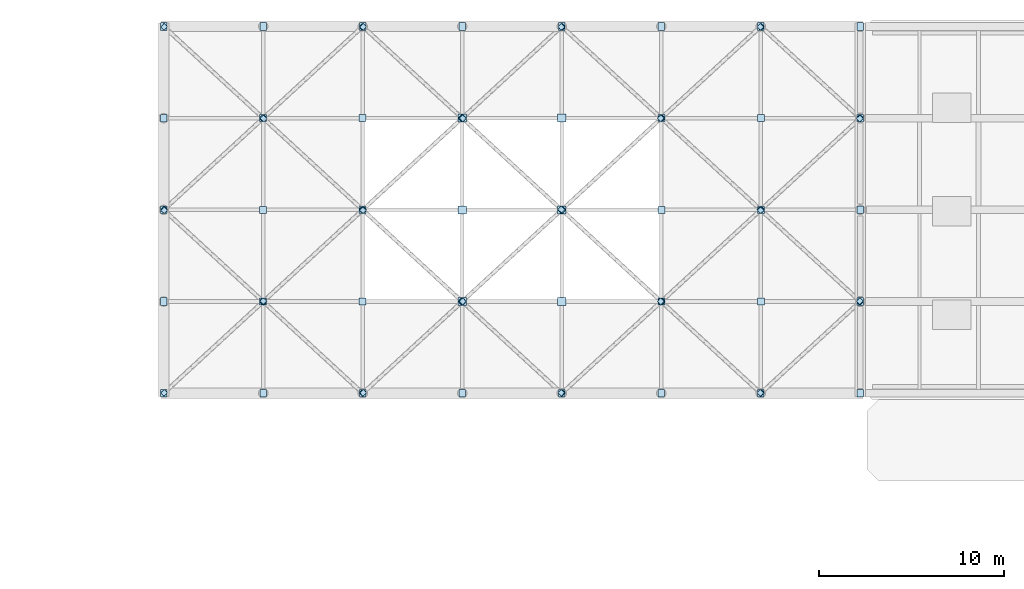
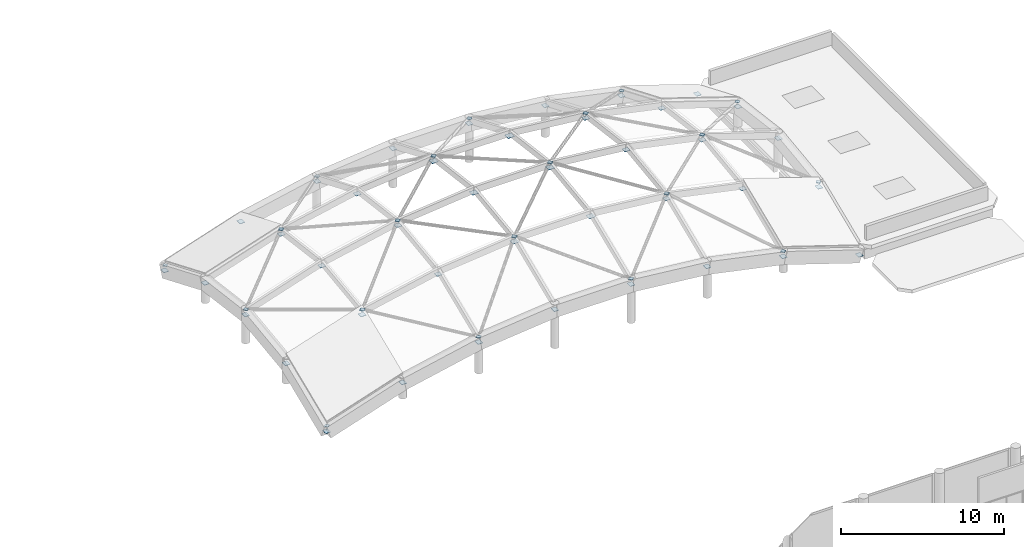
# One storey, part 38 of 66: 96 plates.
"""IFC4 building model written with IfcOpenShell, lengths in metres."""

from ifc_helpers import new_model, si_unit, direction, frame, origin, origin_2d, place, context, subcontext, project, spatial, rectangle, extrude, material, layer, layer_set, type_object, element, save


model = new_model("IFC4")

# Units and contexts
model_context = context("Model", 3, precision=1e-05, world=origin(), true_north=direction((0.0, 1.0)))
body_context = subcontext(model_context, "Body", "Model", "MODEL_VIEW")
ifc_project = project(units=[si_unit("LENGTHUNIT", "METRE"), si_unit("AREAUNIT", "SQUARE_METRE"), si_unit("VOLUMEUNIT", "CUBIC_METRE"), si_unit("PLANEANGLEUNIT", "RADIAN"), si_unit("MASSUNIT", "GRAM", prefix="KILO")], contexts=[model_context])

# Site, building, storey
site_placement = place(None, origin())
site = spatial("IfcSite", under=ifc_project, at=site_placement, CompositionType="ELEMENT")
building_placement = place(site_placement, origin())
building = spatial("IfcBuilding", under=site, at=building_placement, Name="Birchvale Park Specialist Clinic", CompositionType="ELEMENT")
storey_placement = place(building_placement, frame((0.0, 0.0, 5.39990234375)))
storey = spatial("IfcBuildingStorey", under=building, at=storey_placement, Name="L01", CompositionType="ELEMENT", Elevation=5.39990234375)

# Plates
ifc_material = material(Name="Steel ASTM A572 Grade 50", Category="steel")
ifc_layer_1 = layer(ifc_material, 0.02197265625)
ifc_layer_set_1 = layer_set([ifc_layer_1], Name="Steel ASTM A572 Grade 50")
plate_type_1 = type_object("IfcPlateType", Name="PLT-EC2", PredefinedType="USERDEFINED", material=ifc_layer_set_1)
for number, where, z_axis, x_axis, name in (
    (1, (52.1728515625, 91.571044921875, -0.314208984375), (0.0, 0.0, 1.0), (0.735387860781, 0.67764643747, 0.0), "V3 gridshell tube end cap 1.1"),
    (2, (57.512939453125, 96.491455078125, 3.488037109375), (0.0, 0.0, 1.0), (0.735387860781, 0.67764643747, 0.0), "V3 gridshell tube end cap 1.2"),
    (3, (57.51025390625, 96.535888671875, 3.4990234375), (0.0, 0.0, 1.0), (-0.735387860781, 0.67764643747, 0.0), "V3 gridshell tube end cap 2.1"),
    (4, (52.17529296875, 101.45166015625, 2.387939453125), (0.0, 0.0, 1.0), (-0.735387860781, 0.67764643747, 0.0), "V3 gridshell tube end cap 2.2"),
    (5, (52.17529296875, 101.498291015625, 2.387939453125), (0.0, 0.0, 1.0), (0.735387860781, 0.67764643747, 0.0), "V3 gridshell tube end cap 3.1"),
    (6, (57.51025390625, 106.4140625, 3.4990234375), (0.0, 0.0, 1.0), (0.735387860781, 0.67764643747, 0.0), "V3 gridshell tube end cap 3.2"),
    (7, (57.512939453125, 106.45849609375, 3.488037109375), (0.0, 0.0, 1.0), (-0.735387860781, 0.67764643747, 0.0), "V3 gridshell tube end cap 4.1"),
    (8, (52.1728515625, 111.37890625, -0.314208984375), (0.0, 0.0, 1.0), (-0.735387860781, 0.67764643747, 0.0), "V3 gridshell tube end cap 4.2"),
    (9, (62.89599609375, 91.573486328125, 2.579345703125), (0.0, 0.0, 1.0), (-0.735387860781, 0.67764643747, 0.0), "V3 gridshell tube end cap 5.1"),
    (10, (57.561279296875, 96.489013671875, 3.5), (0.0, 0.0, 1.0), (-0.735387860781, 0.67764643747, 0.0), "V3 gridshell tube end cap 5.2"),
    (11, (57.560791015625, 96.535400390625, 3.5126953125), (0.0, 0.0, 1.0), (0.735387860781, 0.67764643747, 0.0), "V3 gridshell tube end cap 6.1"),
    (12, (62.896240234375, 101.451904296875, 5.280029296875), (0.0, 0.0, 1.0), (0.735387860781, 0.67764643747, 0.0), "V3 gridshell tube end cap 6.2"),
    (13, (62.896240234375, 101.498046875, 5.280029296875), (0.0, 0.0, 1.0), (-0.735387860781, 0.67764643747, 0.0), "V3 gridshell tube end cap 7.1"),
    (14, (57.560791015625, 106.41455078125, 3.5126953125), (0.0, 0.0, 1.0), (-0.735387860781, 0.67764643747, 0.0), "V3 gridshell tube end cap 7.2"),
    (15, (57.561279296875, 106.461181640625, 3.5), (0.0, 0.0, 1.0), (0.735387860781, 0.67764643747, 0.0), "V3 gridshell tube end cap 8.1"),
    (16, (62.89599609375, 111.37646484375, 2.579345703125), (0.0, 0.0, 1.0), (0.735387860781, 0.67764643747, 0.0), "V3 gridshell tube end cap 8.2"),
    (17, (62.945556640625, 91.572265625, 2.5869140625), (0.0, 0.0, 1.0), (0.735387860781, 0.67764643747, 0.0), "V3 gridshell tube end cap 9.1"),
    (18, (68.282958984375, 96.490234375, 5.1962890625), (0.0, 0.0, 1.0), (0.735387860781, 0.67764643747, 0.0), "V3 gridshell tube end cap 9.2"),
    (19, (68.281494140625, 96.5361328125, 5.20849609375), (0.0, 0.0, 1.0), (-0.735387860781, 0.67764643747, 0.0), "V3 gridshell tube end cap 10.1"),
    (20, (62.947021484375, 101.451416015625, 5.28759765625), (0.0, 0.0, 1.0), (-0.735387860781, 0.67764643747, 0.0), "V3 gridshell tube end cap 10.2"),
    (21, (62.947021484375, 101.498779296875, 5.28759765625), (0.0, 0.0, 1.0), (0.735387860781, 0.67764643747, 0.0), "V3 gridshell tube end cap 11.1"),
    (22, (68.281494140625, 106.413818359375, 5.20849609375), (0.0, 0.0, 1.0), (0.735387860781, 0.67764643747, 0.0), "V3 gridshell tube end cap 11.2"),
    (23, (68.282958984375, 106.459716796875, 5.1962890625), (0.0, 0.0, 1.0), (-0.735387860781, 0.67764643747, 0.0), "V3 gridshell tube end cap 12.1"),
    (24, (62.945556640625, 111.377685546875, 2.5869140625), (0.0, 0.0, 1.0), (-0.735387860781, 0.67764643747, 0.0), "V3 gridshell tube end cap 12.2"),
    (25, (73.668212890625, 91.57275390625, 3.14599609375), (0.0, 0.0, 1.0), (-0.735387860781, 0.67764643747, 0.0), "V3 gridshell tube end cap 13.1"),
    (26, (68.331787109375, 96.48974609375, 5.198486328125), (0.0, 0.0, 1.0), (-0.735387860781, 0.67764643747, 0.0), "V3 gridshell tube end cap 13.2"),
    (27, (68.332763671875, 96.5361328125, 5.2109375), (0.0, 0.0, 1.0), (0.735387860781, 0.67764643747, 0.0), "V3 gridshell tube end cap 14.1"),
    (28, (73.667236328125, 101.451416015625, 5.8466796875), (0.0, 0.0, 1.0), (0.735387860781, 0.67764643747, 0.0), "V3 gridshell tube end cap 14.2"),
    (29, (73.667236328125, 101.49853515625, 5.8466796875), (0.0, 0.0, 1.0), (-0.735387860781, 0.67764643747, 0.0), "V3 gridshell tube end cap 15.1"),
    (30, (68.332763671875, 106.413818359375, 5.2109375), (0.0, 0.0, 1.0), (-0.735387860781, 0.67764643747, 0.0), "V3 gridshell tube end cap 15.2"),
    (31, (68.331787109375, 106.460205078125, 5.198486328125), (0.0, 0.0, 1.0), (0.735387860781, 0.67764643747, 0.0), "V3 gridshell tube end cap 16.1"),
    (32, (73.668212890625, 111.377197265625, 3.14599609375), (0.0, 0.0, 1.0), (0.735387860781, 0.67764643747, 0.0), "V3 gridshell tube end cap 16.2"),
    (33, (73.718017578125, 91.5732421875, 3.143798828125), (0.0, 0.0, 1.0), (0.735387860781, 0.67764643747, 0.0), "V3 gridshell tube end cap 17.1"),
    (34, (79.053466796875, 96.4892578125, 4.639404296875), (0.0, 0.0, 1.0), (0.735387860781, 0.67764643747, 0.0), "V3 gridshell tube end cap 17.2"),
    (35, (79.05322265625, 96.535888671875, 4.652099609375), (0.0, 0.0, 1.0), (-0.735387860781, 0.67764643747, 0.0), "V3 gridshell tube end cap 18.1"),
    (36, (73.71826171875, 101.45166015625, 5.843994140625), (0.0, 0.0, 1.0), (-0.735387860781, 0.67764643747, 0.0), "V3 gridshell tube end cap 18.2"),
    (37, (73.71826171875, 101.498291015625, 5.843994140625), (0.0, 0.0, 1.0), (0.735387860781, 0.67764643747, 0.0), "V3 gridshell tube end cap 19.1"),
    (38, (79.05322265625, 106.4140625, 4.652099609375), (0.0, 0.0, 1.0), (0.735387860781, 0.67764643747, 0.0), "V3 gridshell tube end cap 19.2"),
    (39, (79.053466796875, 106.460693359375, 4.639404296875), (0.0, 0.0, 1.0), (-0.735387860781, 0.67764643747, 0.0), "V3 gridshell tube end cap 20.1"),
    (40, (73.718017578125, 111.376708984375, 3.143798828125), (0.0, 0.0, 1.0), (-0.735387860781, 0.67764643747, 0.0), "V3 gridshell tube end cap 20.2"),
    (41, (84.440673828125, 91.57177734375, 1.447021484375), (0.0, 0.0, 1.0), (-0.735387860781, 0.67764643747, 0.0), "V3 gridshell tube end cap 21.1"),
    (42, (79.102294921875, 96.49072265625, 4.63232421875), (0.0, 0.0, 1.0), (-0.735387860781, 0.67764643747, 0.0), "V3 gridshell tube end cap 21.2"),
    (43, (79.104248046875, 96.5361328125, 4.64404296875), (0.0, 0.0, 1.0), (0.735387860781, 0.67764643747, 0.0), "V3 gridshell tube end cap 22.1"),
    (44, (84.438720703125, 101.451416015625, 4.1484375), (0.0, 0.0, 1.0), (0.735387860781, 0.67764643747, 0.0), "V3 gridshell tube end cap 22.2"),
    (45, (84.438720703125, 101.49853515625, 4.1484375), (0.0, 0.0, 1.0), (-0.735387860781, 0.67764643747, 0.0), "V3 gridshell tube end cap 23.1"),
    (46, (79.104248046875, 106.413818359375, 4.64404296875), (0.0, 0.0, 1.0), (-0.735387860781, 0.67764643747, 0.0), "V3 gridshell tube end cap 23.2"),
    (47, (79.102294921875, 106.459228515625, 4.63232421875), (0.0, 0.0, 1.0), (0.735387860781, 0.67764643747, 0.0), "V3 gridshell tube end cap 24.1"),
    (48, (84.440673828125, 111.37841796875, 1.447021484375), (0.0, 0.0, 1.0), (0.735387860781, 0.67764643747, 0.0), "V3 gridshell tube end cap 24.2"),
    (49, (84.489990234375, 91.57373046875, 1.4345703125), (0.0, 0.0, 1.0), (0.735387860781, 0.67764643747, 0.0), "V3 gridshell tube end cap 25.1"),
    (50, (89.82421875, 96.48876953125, 1.739501953125), (0.0, 0.0, 1.0), (0.735387860781, 0.67764643747, 0.0), "V3 gridshell tube end cap 25.2"),
    (51, (89.82568359375, 96.53515625, 1.751953125), (0.0, 0.0, 1.0), (-0.735387860781, 0.67764643747, 0.0), "V3 gridshell tube end cap 26.1"),
    (52, (84.48876953125, 101.452392578125, 4.13525390625), (0.0, 0.0, 1.0), (-0.735387860781, 0.67764643747, 0.0), "V3 gridshell tube end cap 26.2"),
    (53, (84.48876953125, 101.49755859375, 4.13525390625), (0.0, 0.0, 1.0), (0.735387860781, 0.67764643747, 0.0), "V3 gridshell tube end cap 27.1"),
    (54, (89.82568359375, 106.414794921875, 1.751953125), (0.0, 0.0, 1.0), (0.735387860781, 0.67764643747, 0.0), "V3 gridshell tube end cap 27.2"),
    (55, (89.82421875, 106.461181640625, 1.739501953125), (0.0, 0.0, 1.0), (-0.735387860781, 0.67764643747, 0.0), "V3 gridshell tube end cap 28.1"),
    (56, (84.489990234375, 111.376220703125, 1.4345703125), (0.0, 0.0, 1.0), (-0.735387860781, 0.67764643747, 0.0), "V3 gridshell tube end cap 28.2"),
):
    element("IfcPlate", number, at=place(storey_placement, frame(where, z_axis=z_axis, x_axis=x_axis)), inside=storey, type_object=plate_type_1, Name=name, ObjectType="BASE_PLATE", PredefinedType="USERDEFINED", context=body_context, shape_type="SweptSolid", body=[
        extrude(rectangle(XDim=0.260009765625, YDim=0.260009765625, at=origin_2d()), origin(), (0.0, 0.0, 1.0), 0.02197265625),
    ])
ifc_layer_2 = layer(ifc_material, 0.02490234375)
ifc_layer_set_2 = layer_set([ifc_layer_2], Name="Steel ASTM A572 Grade 50")
plate_type_2 = type_object("IfcPlateType", Name="PLT-GN1", PredefinedType="USERDEFINED", material=ifc_layer_set_2)
for number, where, z_axis, x_axis, name in (
    (57, (68.30712890625, 96.512451171875, 4.82861328125), (0.0, 0.0, 1.0), (1.0, 0.0, 0.0), "V3 gridshell steel node plate 17"),
    (58, (68.30712890625, 101.47509765625, 5.470458984375), (0.0, 0.0, 1.0), (1.0, 0.0, 0.0), "V3 gridshell steel node plate 18"),
    (59, (68.30712890625, 106.4375, 4.82861328125), (0.0, 0.0, 1.0), (1.0, 0.0, 0.0), "V3 gridshell steel node plate 19"),
    (60, (73.69287109375, 96.512451171875, 4.82861328125), (0.0, 0.0, 1.0), (1.0, 0.0, 0.0), "V3 gridshell steel node plate 22"),
    (61, (73.69287109375, 101.47509765625, 5.470458984375), (0.0, 0.0, 1.0), (1.0, 0.0, 0.0), "V3 gridshell steel node plate 23"),
    (62, (73.69287109375, 106.4375, 4.82861328125), (0.0, 0.0, 1.0), (1.0, 0.0, 0.0), "V3 gridshell steel node plate 24"),
):
    element("IfcPlate", number, at=place(storey_placement, frame(where, z_axis=z_axis, x_axis=x_axis)), inside=storey, type_object=plate_type_2, Name=name, ObjectType="GUSSET_PLATE", PredefinedType="USERDEFINED", context=body_context, shape_type="SweptSolid", body=[
        extrude(rectangle(XDim=0.43994140625, YDim=0.43994140625, at=origin_2d()), origin(), (0.0, 0.0, 1.0), 0.02490234375),
    ])
ifc_layer_3 = layer(ifc_material, 0.02490234375)
ifc_layer_set_3 = layer_set([ifc_layer_3], Name="Steel ASTM A572 Grade 50")
plate_type_3 = type_object("IfcPlateType", Name="PLT-GN2", PredefinedType="USERDEFINED", material=ifc_layer_set_3)
for number, where, z_axis, x_axis, name in (
    (63, (57.53564453125, 96.512451171875, 3.125), (0.0, 0.0, 1.0), (1.0, 0.0, 0.0), "V3 gridshell steel node plate 7"),
    (64, (57.53564453125, 101.47509765625, 3.766845703125), (0.0, 0.0, 1.0), (1.0, 0.0, 0.0), "V3 gridshell steel node plate 8"),
    (65, (57.53564453125, 106.4375, 3.125), (0.0, 0.0, 1.0), (1.0, 0.0, 0.0), "V3 gridshell steel node plate 9"),
    (66, (62.92138671875, 96.512451171875, 4.26708984375), (0.0, 0.0, 1.0), (1.0, 0.0, 0.0), "V3 gridshell steel node plate 12"),
    (67, (62.92138671875, 101.47509765625, 4.90869140625), (0.0, 0.0, 1.0), (1.0, 0.0, 0.0), "V3 gridshell steel node plate 13"),
    (68, (62.92138671875, 106.4375, 4.26708984375), (0.0, 0.0, 1.0), (1.0, 0.0, 0.0), "V3 gridshell steel node plate 14"),
    (69, (79.07861328125, 96.512451171875, 4.26708984375), (0.0, 0.0, 1.0), (1.0, 0.0, 0.0), "V3 gridshell steel node plate 27"),
    (70, (79.07861328125, 101.47509765625, 4.90869140625), (0.0, 0.0, 1.0), (1.0, 0.0, 0.0), "V3 gridshell steel node plate 28"),
    (71, (79.07861328125, 106.4375, 4.26708984375), (0.0, 0.0, 1.0), (1.0, 0.0, 0.0), "V3 gridshell steel node plate 29"),
    (72, (84.46435546875, 96.512451171875, 3.125), (0.0, 0.0, 1.0), (1.0, 0.0, 0.0), "V3 gridshell steel node plate 32"),
    (73, (84.46435546875, 101.47509765625, 3.766845703125), (0.0, 0.0, 1.0), (1.0, 0.0, 0.0), "V3 gridshell steel node plate 33"),
    (74, (84.46435546875, 106.4375, 3.125), (0.0, 0.0, 1.0), (1.0, 0.0, 0.0), "V3 gridshell steel node plate 34"),
):
    element("IfcPlate", number, at=place(storey_placement, frame(where, z_axis=z_axis, x_axis=x_axis)), inside=storey, type_object=plate_type_3, Name=name, ObjectType="GUSSET_PLATE", PredefinedType="USERDEFINED", context=body_context, shape_type="SweptSolid", body=[
        extrude(rectangle(XDim=0.3798828125, YDim=0.3798828125, at=origin_2d()), origin(), (0.0, 0.0, 1.0), 0.02490234375),
    ])
ifc_layer_4 = layer(ifc_material, 0.02490234375)
ifc_layer_set_4 = layer_set([ifc_layer_4], Name="Steel ASTM A572 Grade 50")
plate_type_4 = type_object("IfcPlateType", Name="PLT-GN3", PredefinedType="USERDEFINED", material=ifc_layer_set_4)
for number, where, z_axis, x_axis, name in (
    (75, (52.14990234375, 91.550048828125, -0.7099609375), (0.0, 0.0, 1.0), (1.0, 0.0, 0.0), "V3 gridshell steel node plate 1"),
    (76, (52.14990234375, 96.512451171875, 1.361572265625), (0.0, 0.0, 1.0), (1.0, 0.0, 0.0), "V3 gridshell steel node plate 2"),
    (77, (52.14990234375, 101.47509765625, 2.00341796875), (0.0, 0.0, 1.0), (1.0, 0.0, 0.0), "V3 gridshell steel node plate 3"),
    (78, (52.14990234375, 106.4375, 1.361572265625), (0.0, 0.0, 1.0), (1.0, 0.0, 0.0), "V3 gridshell steel node plate 4"),
    (79, (52.14990234375, 111.39990234375, -0.7099609375), (0.0, 0.0, 1.0), (1.0, 0.0, 0.0), "V3 gridshell steel node plate 5"),
    (80, (57.53564453125, 91.550048828125, 1.0537109375), (0.0, 0.0, 1.0), (1.0, 0.0, 0.0), "V3 gridshell steel node plate 6"),
    (81, (57.53564453125, 111.39990234375, 1.0537109375), (0.0, 0.0, 1.0), (1.0, 0.0, 0.0), "V3 gridshell steel node plate 10"),
    (82, (62.92138671875, 91.550048828125, 2.195556640625), (0.0, 0.0, 1.0), (1.0, 0.0, 0.0), "V3 gridshell steel node plate 11"),
    (83, (62.92138671875, 111.39990234375, 2.195556640625), (0.0, 0.0, 1.0), (1.0, 0.0, 0.0), "V3 gridshell steel node plate 15"),
    (84, (68.30712890625, 91.550048828125, 2.75732421875), (0.0, 0.0, 1.0), (1.0, 0.0, 0.0), "V3 gridshell steel node plate 16"),
    (85, (68.30712890625, 111.39990234375, 2.75732421875), (0.0, 0.0, 1.0), (1.0, 0.0, 0.0), "V3 gridshell steel node plate 20"),
    (86, (73.69287109375, 91.550048828125, 2.75732421875), (0.0, 0.0, 1.0), (1.0, 0.0, 0.0), "V3 gridshell steel node plate 21"),
    (87, (73.69287109375, 111.39990234375, 2.75732421875), (0.0, 0.0, 1.0), (1.0, 0.0, 0.0), "V3 gridshell steel node plate 25"),
    (88, (79.07861328125, 91.550048828125, 2.195556640625), (0.0, 0.0, 1.0), (1.0, 0.0, 0.0), "V3 gridshell steel node plate 26"),
    (89, (79.07861328125, 111.39990234375, 2.195556640625), (0.0, 0.0, 1.0), (1.0, 0.0, 0.0), "V3 gridshell steel node plate 30"),
    (90, (84.46435546875, 91.550048828125, 1.0537109375), (0.0, 0.0, 1.0), (1.0, 0.0, 0.0), "V3 gridshell steel node plate 31"),
    (91, (84.46435546875, 111.39990234375, 1.0537109375), (0.0, 0.0, 1.0), (1.0, 0.0, 0.0), "V3 gridshell steel node plate 35"),
    (92, (89.85009765625, 91.550048828125, -0.7099609375), (0.0, 0.0, 1.0), (1.0, 0.0, 0.0), "V3 gridshell steel node plate 36"),
    (93, (89.85009765625, 96.512451171875, 1.361572265625), (0.0, 0.0, 1.0), (1.0, 0.0, 0.0), "V3 gridshell steel node plate 37"),
    (94, (89.85009765625, 101.47509765625, 2.00341796875), (0.0, 0.0, 1.0), (1.0, 0.0, 0.0), "V3 gridshell steel node plate 38"),
    (95, (89.85009765625, 106.4375, 1.361572265625), (0.0, 0.0, 1.0), (1.0, 0.0, 0.0), "V3 gridshell steel node plate 39"),
    (96, (89.85009765625, 111.39990234375, -0.7099609375), (0.0, 0.0, 1.0), (1.0, 0.0, 0.0), "V3 gridshell steel node plate 40"),
):
    element("IfcPlate", number, at=place(storey_placement, frame(where, z_axis=z_axis, x_axis=x_axis)), inside=storey, type_object=plate_type_4, Name=name, ObjectType="GUSSET_PLATE", PredefinedType="USERDEFINED", context=body_context, shape_type="SweptSolid", body=[
        extrude(rectangle(XDim=0.340087890625, YDim=0.419921875, at=origin_2d()), origin(), (0.0, 0.0, 1.0), 0.02490234375),
    ])

save(model, "model.ifc")
